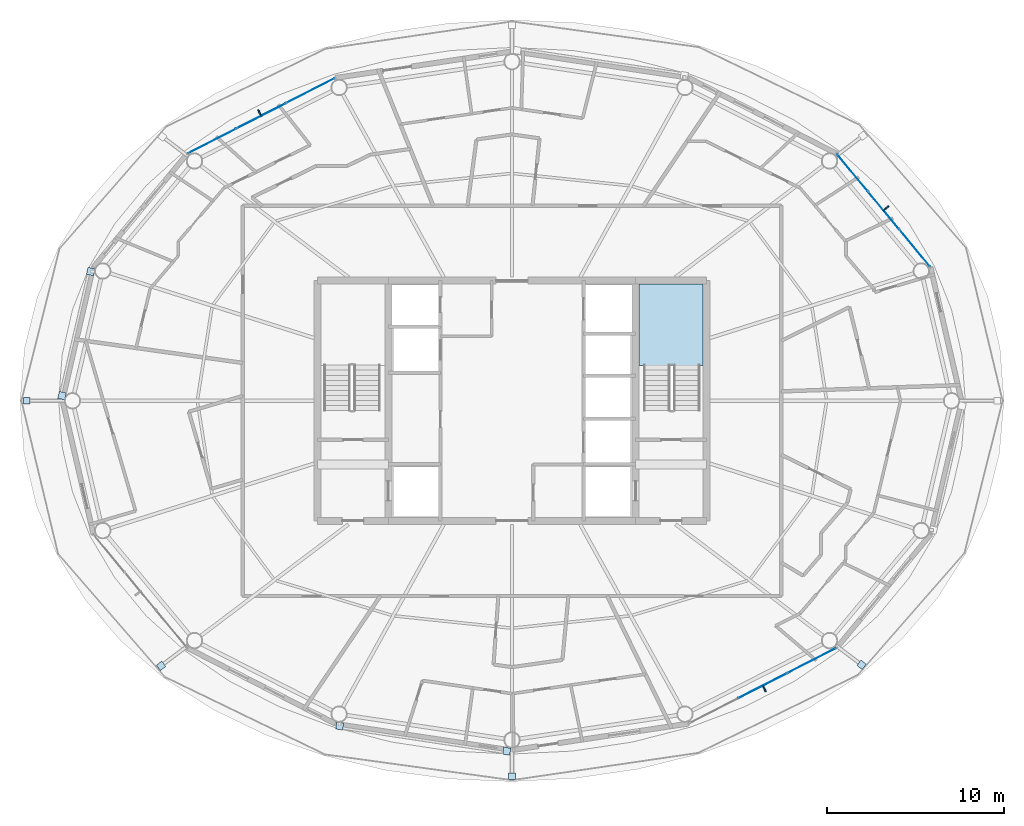
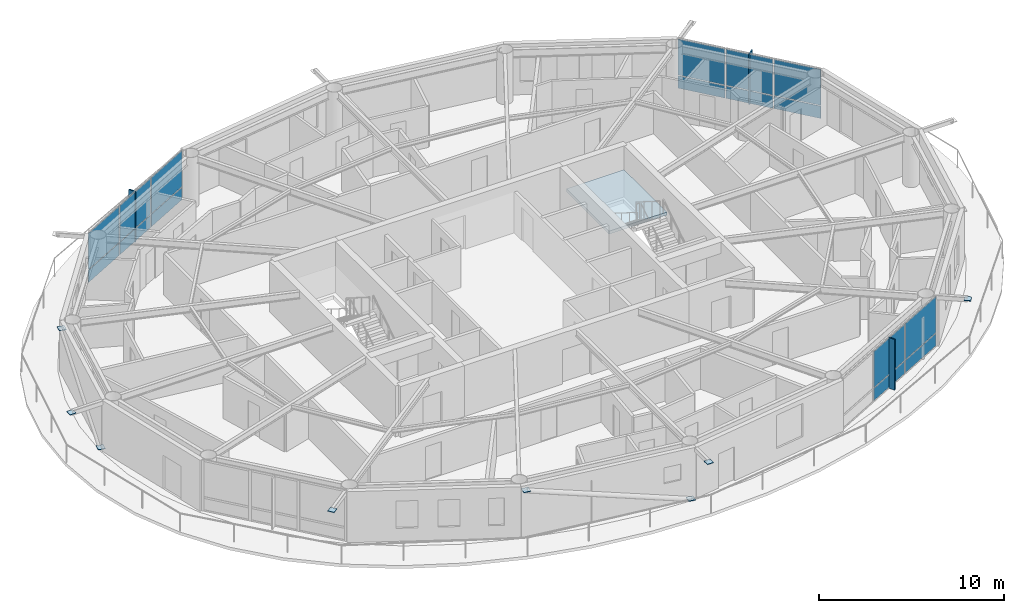
# One storey, part 14 of 23: 27 plates, 1 slab, 4 elements without a shape of their own.
"""IFC4 building model written with IfcOpenShell, lengths in metres."""

from ifc_helpers import new_model, si_unit, direction, frame, origin, origin_2d, place, context, subcontext, project, spatial, polyline, rectangle, outline, extrude, material, layer, layer_set, type_object, element, aggregate, save


model = new_model("IFC4")

# Units and contexts
model_context = context("Model", 3, precision=1e-05, world=origin(), true_north=direction((0.0, 1.0)))
body_context = subcontext(model_context, "Body", "Model", "MODEL_VIEW")
ifc_project = project(units=[si_unit("LENGTHUNIT", "METRE"), si_unit("AREAUNIT", "SQUARE_METRE"), si_unit("VOLUMEUNIT", "CUBIC_METRE"), si_unit("PLANEANGLEUNIT", "RADIAN"), si_unit("MASSUNIT", "GRAM", prefix="KILO")], contexts=[model_context])

# Site, building, storey
site_placement = place(None, origin())
site = spatial("IfcSite", under=ifc_project, at=site_placement, CompositionType="ELEMENT")
building_placement = place(site_placement, origin())
building = spatial("IfcBuilding", under=site, at=building_placement, Name="Sarneth Arch Tower", CompositionType="ELEMENT")
storey_placement = place(building_placement, frame((0.0, 0.0, 231.60009765625)))
storey = spatial("IfcBuildingStorey", under=building, at=storey_placement, Name="L59", CompositionType="ELEMENT", Elevation=231.60009765625)

# Curtain wall, plates
ifc_material_1 = material(Name="Anodised aluminium Type AA25 and solar-control low-e laminated IGU", Category="aluminium")
ifc_layer_1 = layer(ifc_material_1, 0.179931640625)
ifc_layer_set_1 = layer_set([ifc_layer_1], Name="Anodised aluminium Type AA25 and solar-control low-e laminated IGU")
curtain_wall_type = type_object("IfcCurtainWallType", Name="CW-RES-HIGH", PredefinedType="NOTDEFINED", material=ifc_layer_set_1)
curtain_wall_1_placement = place(storey_placement, origin())
curtain_wall_1 = element("IfcCurtainWall", 1, at=curtain_wall_1_placement, inside=storey, type_object=curtain_wall_type, Name="L59 Unitised curtain wall facet 02", PredefinedType="NOTDEFINED")
ifc_material_2 = material(Name="Solar-control low-e laminated IGU", Category="glass")
ifc_layer_2 = layer(ifc_material_2, 0.028076171875)
ifc_layer_set_2 = layer_set([ifc_layer_2], Name="Solar-control low-e laminated IGU")
plate_type_1 = type_object("IfcPlateType", Name="CW-PANEL", PredefinedType="CURTAIN_PANEL", material=ifc_layer_set_2)
plate_1_placement = place(storey_placement, frame((70.799072265625, 50.650634765625, 0.059814453125), z_axis=(0.0, 0.0, 1.0), x_axis=(-0.637610094184, 0.770359245933, 0.0)))
plate_1 = element("IfcPlate", 2, at=plate_1_placement, type_object=plate_type_1, Name="Curtain wall glazed vision pane CW-L59-F02/P00-00", PredefinedType="CURTAIN_PANEL", context=body_context, shape_type="SweptSolid", body=[
    extrude(rectangle(XDim=2.686767578125, YDim=0.028076171875, at=origin_2d()), origin(), (0.0, 0.0, 1.0), 0.81005859375),
])
plate_2_placement = place(storey_placement, frame((70.799072265625, 50.650634765625, 0.929931640625), z_axis=(0.0, 0.0, 1.0), x_axis=(-0.637610094184, 0.770359245933, 0.0)))
plate_2 = element("IfcPlate", 3, at=plate_2_placement, type_object=plate_type_1, Name="Curtain wall glazed vision pane CW-L59-F02/P00-01", PredefinedType="CURTAIN_PANEL", context=body_context, shape_type="SweptSolid", body=[
    extrude(rectangle(XDim=2.686767578125, YDim=0.028076171875, at=origin_2d()), origin(), (0.0, 0.0, 1.0), 2.3701171875),
])
plate_3_placement = place(storey_placement, frame((69.0380859375, 52.778076171875, 0.059814453125), z_axis=(0.0, 0.0, 1.0), x_axis=(-0.637610094184, 0.770359245933, 0.0)))
plate_3 = element("IfcPlate", 4, at=plate_3_placement, type_object=plate_type_1, Name="Curtain wall glazed vision pane CW-L59-F02/P01-00", PredefinedType="CURTAIN_PANEL", context=body_context, shape_type="SweptSolid", body=[
    extrude(rectangle(XDim=2.716552734375, YDim=0.028076171875, at=origin_2d()), origin(), (0.0, 0.0, 1.0), 0.81005859375),
])
plate_4_placement = place(storey_placement, frame((69.0380859375, 52.778076171875, 0.929931640625), z_axis=(0.0, 0.0, 1.0), x_axis=(-0.637610094184, 0.770359245933, 0.0)))
plate_4 = element("IfcPlate", 5, at=plate_4_placement, type_object=plate_type_1, Name="Curtain wall glazed vision pane CW-L59-F02/P01-01", PredefinedType="CURTAIN_PANEL", context=body_context, shape_type="SweptSolid", body=[
    extrude(rectangle(XDim=2.716552734375, YDim=0.028076171875, at=origin_2d()), origin(), (0.0, 0.0, 1.0), 2.3701171875),
])
plate_5_placement = place(storey_placement, frame((67.27734375, 54.905517578125, 0.059814453125), z_axis=(0.0, 0.0, 1.0), x_axis=(-0.637610094184, 0.770359245933, 0.0)))
plate_5 = element("IfcPlate", 6, at=plate_5_placement, type_object=plate_type_1, Name="Curtain wall glazed vision pane CW-L59-F02/P02-00", PredefinedType="CURTAIN_PANEL", context=body_context, shape_type="SweptSolid", body=[
    extrude(rectangle(XDim=2.686767578125, YDim=0.028076171875, at=origin_2d()), origin(), (0.0, 0.0, 1.0), 0.81005859375),
])
plate_6_placement = place(storey_placement, frame((67.27734375, 54.905517578125, 0.929931640625), z_axis=(0.0, 0.0, 1.0), x_axis=(-0.637610094184, 0.770359245933, 0.0)))
plate_6 = element("IfcPlate", 7, at=plate_6_placement, type_object=plate_type_1, Name="Curtain wall glazed vision pane CW-L59-F02/P02-01", PredefinedType="CURTAIN_PANEL", context=body_context, shape_type="SweptSolid", body=[
    extrude(rectangle(XDim=2.686767578125, YDim=0.028076171875, at=origin_2d()), origin(), (0.0, 0.0, 1.0), 2.3701171875),
])
aggregate(curtain_wall_1, [plate_1, plate_2, plate_3, plate_4, plate_5, plate_6])

curtain_wall_2_placement = place(storey_placement, origin())
curtain_wall_2 = element("IfcCurtainWall", 8, at=curtain_wall_2_placement, inside=storey, type_object=curtain_wall_type, Name="L59 Unitised curtain wall facet 06", PredefinedType="NOTDEFINED")
plate_7_placement = place(storey_placement, frame((36.5791015625, 59.552978515625, 0.059814453125), z_axis=(0.0, 0.0, 1.0), x_axis=(-0.890009540525, -0.455941901753, 0.0)))
plate_7 = element("IfcPlate", 9, at=plate_7_placement, type_object=plate_type_1, Name="Curtain wall glazed vision pane CW-L59-F06/P00-00", PredefinedType="CURTAIN_PANEL", context=body_context, shape_type="SweptSolid", body=[
    extrude(rectangle(XDim=3.044677734375, YDim=0.028076171875, at=origin_2d()), origin(), (0.0, 0.0, 1.0), 0.81005859375),
])
plate_8_placement = place(storey_placement, frame((36.5791015625, 59.552978515625, 0.929931640625), z_axis=(0.0, 0.0, 1.0), x_axis=(-0.890009540525, -0.455941901753, 0.0)))
plate_8 = element("IfcPlate", 10, at=plate_8_placement, type_object=plate_type_1, Name="Curtain wall glazed vision pane CW-L59-F06/P00-01", PredefinedType="CURTAIN_PANEL", context=body_context, shape_type="SweptSolid", body=[
    extrude(rectangle(XDim=3.044677734375, YDim=0.028076171875, at=origin_2d()), origin(), (0.0, 0.0, 1.0), 2.3701171875),
])
plate_9_placement = place(storey_placement, frame((33.802490234375, 58.13037109375, 0.059814453125), z_axis=(0.0, 0.0, 1.0), x_axis=(-0.890009540525, -0.455941901753, 0.0)))
plate_9 = element("IfcPlate", 11, at=plate_9_placement, type_object=plate_type_1, Name="Curtain wall glazed vision pane CW-L59-F06/P01-00", PredefinedType="CURTAIN_PANEL", context=body_context, shape_type="SweptSolid", body=[
    extrude(rectangle(XDim=3.07470703125, YDim=0.028076171875, at=origin_2d()), origin(), (0.0, 0.0, 1.0), 0.81005859375),
])
plate_10_placement = place(storey_placement, frame((33.802490234375, 58.13037109375, 0.929931640625), z_axis=(0.0, 0.0, 1.0), x_axis=(-0.890009540525, -0.455941901753, 0.0)))
plate_10 = element("IfcPlate", 12, at=plate_10_placement, type_object=plate_type_1, Name="Curtain wall glazed vision pane CW-L59-F06/P01-01", PredefinedType="CURTAIN_PANEL", context=body_context, shape_type="SweptSolid", body=[
    extrude(rectangle(XDim=3.07470703125, YDim=0.028076171875, at=origin_2d()), origin(), (0.0, 0.0, 1.0), 2.3701171875),
])
plate_11_placement = place(storey_placement, frame((31.02587890625, 56.7080078125, 0.059814453125), z_axis=(0.0, 0.0, 1.0), x_axis=(-0.890009540525, -0.455941901753, 0.0)))
plate_11 = element("IfcPlate", 13, at=plate_11_placement, type_object=plate_type_1, Name="Curtain wall glazed vision pane CW-L59-F06/P02-00", PredefinedType="CURTAIN_PANEL", context=body_context, shape_type="SweptSolid", body=[
    extrude(rectangle(XDim=3.044677734375, YDim=0.028076171875, at=origin_2d()), origin(), (0.0, 0.0, 1.0), 0.81005859375),
])
plate_12_placement = place(storey_placement, frame((31.02587890625, 56.7080078125, 0.929931640625), z_axis=(0.0, 0.0, 1.0), x_axis=(-0.890009540525, -0.455941901753, 0.0)))
plate_12 = element("IfcPlate", 14, at=plate_12_placement, type_object=plate_type_1, Name="Curtain wall glazed vision pane CW-L59-F06/P02-01", PredefinedType="CURTAIN_PANEL", context=body_context, shape_type="SweptSolid", body=[
    extrude(rectangle(XDim=3.044677734375, YDim=0.028076171875, at=origin_2d()), origin(), (0.0, 0.0, 1.0), 2.3701171875),
])
aggregate(curtain_wall_2, [plate_7, plate_8, plate_9, plate_10, plate_11, plate_12])

curtain_wall_3_placement = place(storey_placement, origin())
curtain_wall_3 = element("IfcCurtainWall", 15, at=curtain_wall_3_placement, inside=storey, type_object=curtain_wall_type, Name="L59 Unitised curtain wall facet 14", PredefinedType="NOTDEFINED")
plate_13_placement = place(storey_placement, frame((62.197509765625, 25.86962890625, 0.059814453125), z_axis=(0.0, 0.0, 1.0), x_axis=(0.890009540525, 0.455941901753, 0.0)))
plate_13 = element("IfcPlate", 16, at=plate_13_placement, type_object=plate_type_1, Name="Curtain wall glazed vision pane CW-L59-F14/P01-00", PredefinedType="CURTAIN_PANEL", context=body_context, shape_type="SweptSolid", body=[
    extrude(rectangle(XDim=3.07470703125, YDim=0.028076171875, at=origin_2d()), origin(), (0.0, 0.0, 1.0), 0.81005859375),
])
plate_14_placement = place(storey_placement, frame((62.197509765625, 25.86962890625, 0.929931640625), z_axis=(0.0, 0.0, 1.0), x_axis=(0.890009540525, 0.455941901753, 0.0)))
plate_14 = element("IfcPlate", 17, at=plate_14_placement, type_object=plate_type_1, Name="Curtain wall glazed vision pane CW-L59-F14/P01-01", PredefinedType="CURTAIN_PANEL", context=body_context, shape_type="SweptSolid", body=[
    extrude(rectangle(XDim=3.07470703125, YDim=0.028076171875, at=origin_2d()), origin(), (0.0, 0.0, 1.0), 2.3701171875),
])
plate_15_placement = place(storey_placement, frame((64.97412109375, 27.2919921875, 0.059814453125), z_axis=(0.0, 0.0, 1.0), x_axis=(0.890009540525, 0.455941901753, 0.0)))
plate_15 = element("IfcPlate", 18, at=plate_15_placement, type_object=plate_type_1, Name="Curtain wall glazed vision pane CW-L59-F14/P02-00", PredefinedType="CURTAIN_PANEL", context=body_context, shape_type="SweptSolid", body=[
    extrude(rectangle(XDim=3.044677734375, YDim=0.028076171875, at=origin_2d()), origin(), (0.0, 0.0, 1.0), 0.81005859375),
])
plate_16_placement = place(storey_placement, frame((64.97412109375, 27.2919921875, 0.929931640625), z_axis=(0.0, 0.0, 1.0), x_axis=(0.890009540525, 0.455941901753, 0.0)))
plate_16 = element("IfcPlate", 19, at=plate_16_placement, type_object=plate_type_1, Name="Curtain wall glazed vision pane CW-L59-F14/P02-01", PredefinedType="CURTAIN_PANEL", context=body_context, shape_type="SweptSolid", body=[
    extrude(rectangle(XDim=3.044677734375, YDim=0.028076171875, at=origin_2d()), origin(), (0.0, 0.0, 1.0), 2.3701171875),
])
aggregate(curtain_wall_3, [plate_13, plate_14, plate_15, plate_16])

# Plates
ifc_material_3 = material(Name="Steel S355", Category="steel")
ifc_layer_3 = layer(ifc_material_3, 0.035888671875)
ifc_layer_set_3 = layer_set([ifc_layer_3], Name="Steel S355")
plate_type_2 = type_object("IfcPlateType", Name="PLT-GUSSET-30", PredefinedType="SHEET", material=ifc_layer_set_3)
for number, where, z_axis, x_axis, name in (
    (20, (22.5234375, 42.292236328125, 0.001953125), (0.0, 0.0, 1.0), (-0.225461202458, -0.974252147129, 0.0), "Steel end cap plate GP-1"),
    (21, (24.148193359375, 49.3154296875, 3.0185546875), (0.0, 0.0, 1.0), (-0.225461202458, -0.974252147129, 0.0), "Steel end cap plate GP-1"),
):
    element("IfcPlate", number, at=place(storey_placement, frame(where, z_axis=z_axis, x_axis=x_axis)), inside=storey, type_object=plate_type_2, Name=name, PredefinedType="SHEET", context=body_context, shape_type="SweptSolid", body=[
        extrude(rectangle(XDim=0.404052734375, YDim=0.404052734375, at=origin_2d()), origin(), (0.0, 0.0, 1.0), 0.035888671875),
    ])
for number, where, z_axis, x_axis, name in (
    (22, (20.52099609375, 42.0, 3.18212890625), (0.0, 0.0, 1.0), (-1.0, 0.0, 0.0), "Steel end cap plate GP-1"),
    (23, (28.13134765625, 26.993408203125, 3.18212890625), (0.0, 0.0, 1.0), (-0.798004853043, -0.602651022168, 0.0), "Steel end cap plate GP-1"),
):
    element("IfcPlate", number, at=place(storey_placement, frame(where, z_axis=z_axis, x_axis=x_axis)), inside=storey, type_object=plate_type_2, Name=name, PredefinedType="SHEET", context=body_context, shape_type="SweptSolid", body=[
        extrude(rectangle(XDim=0.3798828125, YDim=0.3798828125, at=origin_2d()), origin(), (0.0, 0.0, 1.0), 0.035888671875),
    ])
for number, where, z_axis, x_axis, name in (
    (24, (47.703369140625, 22.16455078125, 0.001953125), (0.0, 0.0, 1.0), (0.988860535448, -0.148845024885, 0.0), "Steel end cap plate GP-1"),
    (25, (38.245849609375, 23.588623046875, 3.0185546875), (0.0, 0.0, 1.0), (0.988860535448, -0.148845024885, 0.0), "Steel end cap plate GP-1"),
):
    element("IfcPlate", number, at=place(storey_placement, frame(where, z_axis=z_axis, x_axis=x_axis)), inside=storey, type_object=plate_type_2, Name=name, PredefinedType="SHEET", context=body_context, shape_type="SweptSolid", body=[
        extrude(rectangle(XDim=0.404052734375, YDim=0.404052734375, at=origin_2d()), origin(), (0.0, 0.0, 1.0), 0.035888671875),
    ])
for number, where, z_axis, x_axis, name in (
    (26, (48.0, 20.745849609375, 3.18212890625), (0.0, 0.0, 1.0), (0.0, -1.0, 0.0), "Steel end cap plate GP-1"),
    (27, (67.79248046875, 27.051025390625, 3.18212890625), (0.0, 0.0, 1.0), (0.798004853043, -0.602651022168, 0.0), "Steel end cap plate GP-1"),
):
    element("IfcPlate", number, at=place(storey_placement, frame(where, z_axis=z_axis, x_axis=x_axis)), inside=storey, type_object=plate_type_2, Name=name, PredefinedType="SHEET", context=body_context, shape_type="SweptSolid", body=[
        extrude(rectangle(XDim=0.3798828125, YDim=0.3798828125, at=origin_2d()), origin(), (0.0, 0.0, 1.0), 0.035888671875),
    ])
ifc_material_4 = material(Name="Extruded glazed terracotta baguette fin on Aluminium 6063-T6 carrier", Category="masonry")
ifc_layer_4 = layer(ifc_material_4, 0.080078125)
ifc_layer_set_4 = layer_set([ifc_layer_4], Name="Extruded glazed terracotta baguette fin on Aluminium 6063-T6 carrier")
plate_type_3 = type_object("IfcPlateType", Name="SHADE-TERRA-FIN", PredefinedType="SHEET", material=ifc_layer_set_4)
for number, where, z_axis, x_axis, name in (
    (28, (69.169189453125, 52.886474609375, 0.009765625), (0.0, 0.0, 1.0), (0.770401979567, 0.63755845997, 0.0), "L59 Terracotta vertical shading fin 02"),
    (29, (33.724853515625, 58.28173828125, 0.009765625), (0.0, 0.0, 1.0), (-0.456010959102, 0.889974159838, 0.0), "L59 Terracotta vertical shading fin 06"),
    (30, (62.275146484375, 25.71826171875, 0.009765625), (0.0, 0.0, 1.0), (0.456010959102, -0.889974159838, 0.0), "L59 Terracotta vertical shading fin 14"),
):
    element("IfcPlate", number, at=place(storey_placement, frame(where, z_axis=z_axis, x_axis=x_axis)), inside=storey, type_object=plate_type_3, Name=name, PredefinedType="SHEET", context=body_context, shape_type="SweptSolid", body=[
        extrude(rectangle(XDim=0.419921875, YDim=0.080078125, at=origin_2d()), origin(), (0.0, 0.0, 1.0), 3.340087890625),
    ])

# Stair, slab
ifc_material_5 = material(Name="Concrete C50/60", Category="concrete")
stair_type = type_object("IfcStairType", Name="STAIR-CORE-RC", PredefinedType="HALF_TURN_STAIR", material=ifc_material_5)
stair_placement = place(storey_placement, origin())
stair = element("IfcStair", 31, at=stair_placement, inside=storey, type_object=stair_type, Name="L59 Core Exit Stair 2", PredefinedType="HALF_TURN_STAIR")
ifc_material_6 = material(Name="Concrete C50/60", Category="concrete")
ifc_layer_5 = layer(ifc_material_6, 0.199951171875)
ifc_layer_set_5 = layer_set([ifc_layer_5], Name="Concrete C50/60")
slab_type = type_object("IfcSlabType", Name="SLAB-LANDING-200", PredefinedType="LANDING", material=ifc_layer_set_5)
slab_placement = place(storey_placement, frame((0.0, 0.0, 1.599853515625)))
slab = element("IfcSlab", 32, at=slab_placement, type_object=slab_type, Name="ST-2 landing 1", PredefinedType="LANDING", context=body_context, shape_type="SweptSolid", body=[
    extrude(outline(polyline([(55.199951171875, 43.985107421875), (58.800048828125, 43.985107421875), (58.800048828125, 48.60009765625), (55.199951171875, 48.60009765625), (55.199951171875, 43.985107421875)])), origin(), (0.0, 0.0, 1.0), 0.199951171875),
])
aggregate(stair, [slab])

save(model, "model.ifc")
